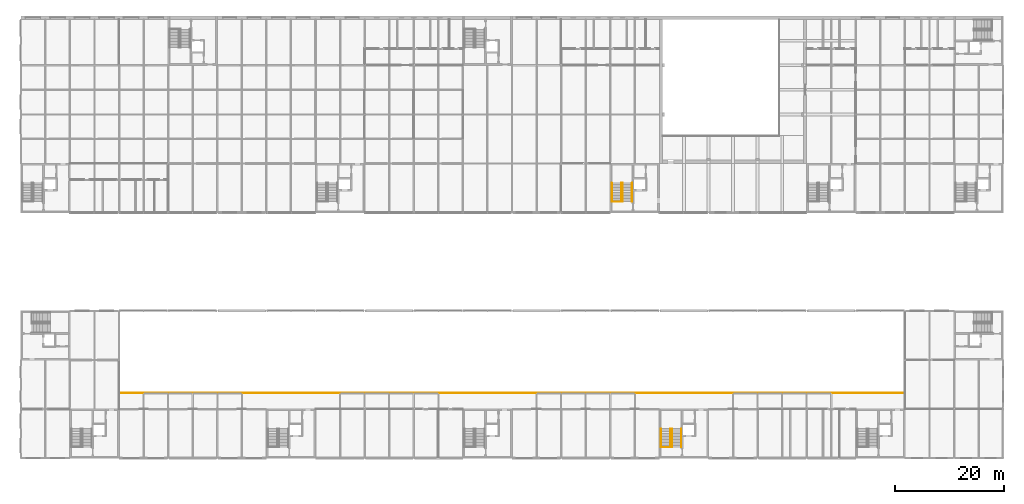
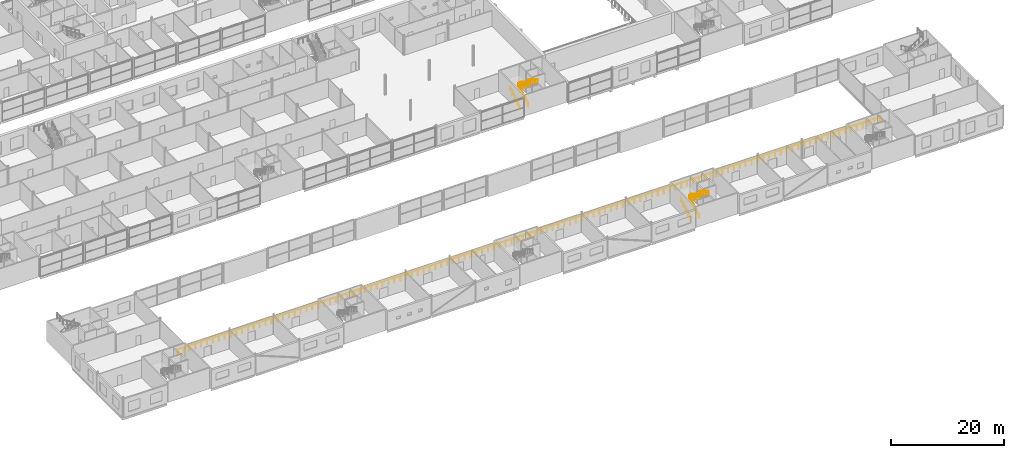
# One storey, part 94 of 97: 11 railings.
"""IFC4 building model written with IfcOpenShell, lengths in metres."""

from ifc_helpers import new_model, si_unit, direction, frame, origin, origin_2d, place, context, subcontext, project, spatial, circle, extrude, material, type_object, element, save


model = new_model("IFC4")

# Units and contexts
model_context = context("Model", 3, precision=1e-05, world=origin(), true_north=direction((0.0, 1.0)))
body_context = subcontext(model_context, "Body", "Model", "MODEL_VIEW")
ifc_project = project(units=[si_unit("LENGTHUNIT", "METRE"), si_unit("AREAUNIT", "SQUARE_METRE"), si_unit("VOLUMEUNIT", "CUBIC_METRE"), si_unit("PLANEANGLEUNIT", "RADIAN"), si_unit("MASSUNIT", "GRAM", prefix="KILO")], contexts=[model_context])

# Site, building, storey
site_placement = place(None, origin())
site = spatial("IfcSite", under=ifc_project, at=site_placement, CompositionType="ELEMENT")
building_placement = place(site_placement, origin())
building = spatial("IfcBuilding", under=site, at=building_placement, Name="Corbel Yard City Hall", CompositionType="ELEMENT")
storey_placement = place(building_placement, frame((0.0, 0.0, 6.0)))
storey = spatial("IfcBuildingStorey", under=building, at=storey_placement, Name="L01", CompositionType="ELEMENT", Elevation=6.0)

# Railings
ifc_material = material(Name="Stainless steel Grade 316", Category="steel")
railing_type_1 = type_object("IfcRailingType", Name="GR1", PredefinedType="GUARDRAIL", material=ifc_material)
railing_1_placement = place(storey_placement, frame((117.300048828125, 2.0, 4.5)))
element("IfcRailing", 1, at=railing_1_placement, inside=storey, type_object=railing_type_1, Name="Exit stair guard", PredefinedType="GUARDRAIL", context=body_context, shape_type="SweptSolid", body=[
    extrude(circle(Radius=0.02392578125, at=origin_2d()), frame((0.0, 0.0, 1.076171875), z_axis=(1.0, 0.0, 0.0), x_axis=(0.0, 1.0, 0.0)), (0.0, 0.0, 1.0), 1.949951171875),
    extrude(circle(Radius=0.02099609375, at=origin_2d()), origin(), (0.0, 0.0, 1.0), 1.052001953125),
    extrude(circle(Radius=0.02099609375, at=origin_2d()), frame((0.97509765625, 0.0, 0.0)), (0.0, 0.0, 1.0), 1.052001953125),
    extrude(circle(Radius=0.02099609375, at=origin_2d()), frame((1.949951171875, 0.0, 0.0)), (0.0, 0.0, 1.0), 1.052001953125),
])
railing_2_placement = place(storey_placement, frame((18.14990234375, 11.949951171875, 0.0)))
element("IfcRailing", 2, at=railing_2_placement, inside=storey, type_object=railing_type_1, Name="Gallery guard", PredefinedType="GUARDRAIL", context=body_context, shape_type="SweptSolid", body=[
    extrude(circle(Radius=0.02392578125, at=origin_2d()), frame((0.0, 0.0, 1.076171875), z_axis=(1.0, 0.0, 0.0), x_axis=(0.0, 1.0, 0.0)), (0.0, 0.0, 1.0), 143.7001953125),
    extrude(circle(Radius=0.02099609375, at=origin_2d()), origin(), (0.0, 0.0, 1.0), 1.052001953125),
    extrude(circle(Radius=0.02099609375, at=origin_2d()), frame((1.197509765625, 0.0, 0.0)), (0.0, 0.0, 1.0), 1.052001953125),
    extrude(circle(Radius=0.02099609375, at=origin_2d()), frame((2.39501953125, 0.0, 0.0)), (0.0, 0.0, 1.0), 1.052001953125),
    extrude(circle(Radius=0.02099609375, at=origin_2d()), frame((3.592529296875, 0.0, 0.0)), (0.0, 0.0, 1.0), 1.052001953125),
    extrude(circle(Radius=0.02099609375, at=origin_2d()), frame((4.7900390625, 0.0, 0.0)), (0.0, 0.0, 1.0), 1.052001953125),
    extrude(circle(Radius=0.02099609375, at=origin_2d()), frame((5.987548828125, 0.0, 0.0)), (0.0, 0.0, 1.0), 1.052001953125),
    extrude(circle(Radius=0.02099609375, at=origin_2d()), frame((7.18505859375, 0.0, 0.0)), (0.0, 0.0, 1.0), 1.052001953125),
    extrude(circle(Radius=0.02099609375, at=origin_2d()), frame((8.382568359375, 0.0, 0.0)), (0.0, 0.0, 1.0), 1.052001953125),
    extrude(circle(Radius=0.02099609375, at=origin_2d()), frame((9.580078125, 0.0, 0.0)), (0.0, 0.0, 1.0), 1.052001953125),
    extrude(circle(Radius=0.02099609375, at=origin_2d()), frame((10.777587890625, 0.0, 0.0)), (0.0, 0.0, 1.0), 1.052001953125),
    extrude(circle(Radius=0.02099609375, at=origin_2d()), frame((11.97509765625, 0.0, 0.0)), (0.0, 0.0, 1.0), 1.052001953125),
    extrude(circle(Radius=0.02099609375, at=origin_2d()), frame((13.172607421875, 0.0, 0.0)), (0.0, 0.0, 1.0), 1.052001953125),
    extrude(circle(Radius=0.02099609375, at=origin_2d()), frame((14.3701171875, 0.0, 0.0)), (0.0, 0.0, 1.0), 1.052001953125),
    extrude(circle(Radius=0.02099609375, at=origin_2d()), frame((15.567626953125, 0.0, 0.0)), (0.0, 0.0, 1.0), 1.052001953125),
    extrude(circle(Radius=0.02099609375, at=origin_2d()), frame((16.76513671875, 0.0, 0.0)), (0.0, 0.0, 1.0), 1.052001953125),
    extrude(circle(Radius=0.02099609375, at=origin_2d()), frame((17.96240234375, 0.0, 0.0)), (0.0, 0.0, 1.0), 1.052001953125),
    extrude(circle(Radius=0.02099609375, at=origin_2d()), frame((19.159912109375, 0.0, 0.0)), (0.0, 0.0, 1.0), 1.052001953125),
    extrude(circle(Radius=0.02099609375, at=origin_2d()), frame((20.357421875, 0.0, 0.0)), (0.0, 0.0, 1.0), 1.052001953125),
    extrude(circle(Radius=0.02099609375, at=origin_2d()), frame((21.554931640625, 0.0, 0.0)), (0.0, 0.0, 1.0), 1.052001953125),
    extrude(circle(Radius=0.02099609375, at=origin_2d()), frame((22.75244140625, 0.0, 0.0)), (0.0, 0.0, 1.0), 1.052001953125),
    extrude(circle(Radius=0.02099609375, at=origin_2d()), frame((23.949951171875, 0.0, 0.0)), (0.0, 0.0, 1.0), 1.052001953125),
    extrude(circle(Radius=0.02099609375, at=origin_2d()), frame((25.1474609375, 0.0, 0.0)), (0.0, 0.0, 1.0), 1.052001953125),
    extrude(circle(Radius=0.02099609375, at=origin_2d()), frame((26.344970703125, 0.0, 0.0)), (0.0, 0.0, 1.0), 1.052001953125),
    extrude(circle(Radius=0.02099609375, at=origin_2d()), frame((27.54248046875, 0.0, 0.0)), (0.0, 0.0, 1.0), 1.052001953125),
    extrude(circle(Radius=0.02099609375, at=origin_2d()), frame((28.739990234375, 0.0, 0.0)), (0.0, 0.0, 1.0), 1.052001953125),
    extrude(circle(Radius=0.02099609375, at=origin_2d()), frame((29.9375, 0.0, 0.0)), (0.0, 0.0, 1.0), 1.052001953125),
    extrude(circle(Radius=0.02099609375, at=origin_2d()), frame((31.135009765625, 0.0, 0.0)), (0.0, 0.0, 1.0), 1.052001953125),
    extrude(circle(Radius=0.02099609375, at=origin_2d()), frame((32.33251953125, 0.0, 0.0)), (0.0, 0.0, 1.0), 1.052001953125),
    extrude(circle(Radius=0.02099609375, at=origin_2d()), frame((33.530029296875, 0.0, 0.0)), (0.0, 0.0, 1.0), 1.052001953125),
    extrude(circle(Radius=0.02099609375, at=origin_2d()), frame((34.7275390625, 0.0, 0.0)), (0.0, 0.0, 1.0), 1.052001953125),
    extrude(circle(Radius=0.02099609375, at=origin_2d()), frame((35.925048828125, 0.0, 0.0)), (0.0, 0.0, 1.0), 1.052001953125),
    extrude(circle(Radius=0.02099609375, at=origin_2d()), frame((37.12255859375, 0.0, 0.0)), (0.0, 0.0, 1.0), 1.052001953125),
    extrude(circle(Radius=0.02099609375, at=origin_2d()), frame((38.320068359375, 0.0, 0.0)), (0.0, 0.0, 1.0), 1.052001953125),
    extrude(circle(Radius=0.02099609375, at=origin_2d()), frame((39.517578125, 0.0, 0.0)), (0.0, 0.0, 1.0), 1.052001953125),
    extrude(circle(Radius=0.02099609375, at=origin_2d()), frame((40.715087890625, 0.0, 0.0)), (0.0, 0.0, 1.0), 1.052001953125),
    extrude(circle(Radius=0.02099609375, at=origin_2d()), frame((41.91259765625, 0.0, 0.0)), (0.0, 0.0, 1.0), 1.052001953125),
    extrude(circle(Radius=0.02099609375, at=origin_2d()), frame((43.110107421875, 0.0, 0.0)), (0.0, 0.0, 1.0), 1.052001953125),
    extrude(circle(Radius=0.02099609375, at=origin_2d()), frame((44.3076171875, 0.0, 0.0)), (0.0, 0.0, 1.0), 1.052001953125),
    extrude(circle(Radius=0.02099609375, at=origin_2d()), frame((45.505126953125, 0.0, 0.0)), (0.0, 0.0, 1.0), 1.052001953125),
    extrude(circle(Radius=0.02099609375, at=origin_2d()), frame((46.70263671875, 0.0, 0.0)), (0.0, 0.0, 1.0), 1.052001953125),
    extrude(circle(Radius=0.02099609375, at=origin_2d()), frame((47.900146484375, 0.0, 0.0)), (0.0, 0.0, 1.0), 1.052001953125),
    extrude(circle(Radius=0.02099609375, at=origin_2d()), frame((49.09765625, 0.0, 0.0)), (0.0, 0.0, 1.0), 1.052001953125),
    extrude(circle(Radius=0.02099609375, at=origin_2d()), frame((50.295166015625, 0.0, 0.0)), (0.0, 0.0, 1.0), 1.052001953125),
    extrude(circle(Radius=0.02099609375, at=origin_2d()), frame((51.49267578125, 0.0, 0.0)), (0.0, 0.0, 1.0), 1.052001953125),
    extrude(circle(Radius=0.02099609375, at=origin_2d()), frame((52.690185546875, 0.0, 0.0)), (0.0, 0.0, 1.0), 1.052001953125),
    extrude(circle(Radius=0.02099609375, at=origin_2d()), frame((53.8876953125, 0.0, 0.0)), (0.0, 0.0, 1.0), 1.052001953125),
    extrude(circle(Radius=0.02099609375, at=origin_2d()), frame((55.0849609375, 0.0, 0.0)), (0.0, 0.0, 1.0), 1.052001953125),
    extrude(circle(Radius=0.02099609375, at=origin_2d()), frame((56.282470703125, 0.0, 0.0)), (0.0, 0.0, 1.0), 1.052001953125),
    extrude(circle(Radius=0.02099609375, at=origin_2d()), frame((57.47998046875, 0.0, 0.0)), (0.0, 0.0, 1.0), 1.052001953125),
    extrude(circle(Radius=0.02099609375, at=origin_2d()), frame((58.677490234375, 0.0, 0.0)), (0.0, 0.0, 1.0), 1.052001953125),
    extrude(circle(Radius=0.02099609375, at=origin_2d()), frame((59.875, 0.0, 0.0)), (0.0, 0.0, 1.0), 1.052001953125),
    extrude(circle(Radius=0.02099609375, at=origin_2d()), frame((61.072509765625, 0.0, 0.0)), (0.0, 0.0, 1.0), 1.052001953125),
    extrude(circle(Radius=0.02099609375, at=origin_2d()), frame((62.27001953125, 0.0, 0.0)), (0.0, 0.0, 1.0), 1.052001953125),
    extrude(circle(Radius=0.02099609375, at=origin_2d()), frame((63.467529296875, 0.0, 0.0)), (0.0, 0.0, 1.0), 1.052001953125),
    extrude(circle(Radius=0.02099609375, at=origin_2d()), frame((64.6650390625, 0.0, 0.0)), (0.0, 0.0, 1.0), 1.052001953125),
    extrude(circle(Radius=0.02099609375, at=origin_2d()), frame((65.862548828125, 0.0, 0.0)), (0.0, 0.0, 1.0), 1.052001953125),
    extrude(circle(Radius=0.02099609375, at=origin_2d()), frame((67.06005859375, 0.0, 0.0)), (0.0, 0.0, 1.0), 1.052001953125),
    extrude(circle(Radius=0.02099609375, at=origin_2d()), frame((68.257568359375, 0.0, 0.0)), (0.0, 0.0, 1.0), 1.052001953125),
    extrude(circle(Radius=0.02099609375, at=origin_2d()), frame((69.455078125, 0.0, 0.0)), (0.0, 0.0, 1.0), 1.052001953125),
    extrude(circle(Radius=0.02099609375, at=origin_2d()), frame((70.652587890625, 0.0, 0.0)), (0.0, 0.0, 1.0), 1.052001953125),
    extrude(circle(Radius=0.02099609375, at=origin_2d()), frame((71.85009765625, 0.0, 0.0)), (0.0, 0.0, 1.0), 1.052001953125),
    extrude(circle(Radius=0.02099609375, at=origin_2d()), frame((73.047607421875, 0.0, 0.0)), (0.0, 0.0, 1.0), 1.052001953125),
    extrude(circle(Radius=0.02099609375, at=origin_2d()), frame((74.2451171875, 0.0, 0.0)), (0.0, 0.0, 1.0), 1.052001953125),
    extrude(circle(Radius=0.02099609375, at=origin_2d()), frame((75.442626953125, 0.0, 0.0)), (0.0, 0.0, 1.0), 1.052001953125),
    extrude(circle(Radius=0.02099609375, at=origin_2d()), frame((76.64013671875, 0.0, 0.0)), (0.0, 0.0, 1.0), 1.052001953125),
    extrude(circle(Radius=0.02099609375, at=origin_2d()), frame((77.837646484375, 0.0, 0.0)), (0.0, 0.0, 1.0), 1.052001953125),
    extrude(circle(Radius=0.02099609375, at=origin_2d()), frame((79.03515625, 0.0, 0.0)), (0.0, 0.0, 1.0), 1.052001953125),
    extrude(circle(Radius=0.02099609375, at=origin_2d()), frame((80.232666015625, 0.0, 0.0)), (0.0, 0.0, 1.0), 1.052001953125),
    extrude(circle(Radius=0.02099609375, at=origin_2d()), frame((81.43017578125, 0.0, 0.0)), (0.0, 0.0, 1.0), 1.052001953125),
    extrude(circle(Radius=0.02099609375, at=origin_2d()), frame((82.627685546875, 0.0, 0.0)), (0.0, 0.0, 1.0), 1.052001953125),
    extrude(circle(Radius=0.02099609375, at=origin_2d()), frame((83.8251953125, 0.0, 0.0)), (0.0, 0.0, 1.0), 1.052001953125),
    extrude(circle(Radius=0.02099609375, at=origin_2d()), frame((85.022705078125, 0.0, 0.0)), (0.0, 0.0, 1.0), 1.052001953125),
    extrude(circle(Radius=0.02099609375, at=origin_2d()), frame((86.22021484375, 0.0, 0.0)), (0.0, 0.0, 1.0), 1.052001953125),
    extrude(circle(Radius=0.02099609375, at=origin_2d()), frame((87.417724609375, 0.0, 0.0)), (0.0, 0.0, 1.0), 1.052001953125),
    extrude(circle(Radius=0.02099609375, at=origin_2d()), frame((88.615234375, 0.0, 0.0)), (0.0, 0.0, 1.0), 1.052001953125),
    extrude(circle(Radius=0.02099609375, at=origin_2d()), frame((89.8125, 0.0, 0.0)), (0.0, 0.0, 1.0), 1.052001953125),
    extrude(circle(Radius=0.02099609375, at=origin_2d()), frame((91.010009765625, 0.0, 0.0)), (0.0, 0.0, 1.0), 1.052001953125),
    extrude(circle(Radius=0.02099609375, at=origin_2d()), frame((92.20751953125, 0.0, 0.0)), (0.0, 0.0, 1.0), 1.052001953125),
    extrude(circle(Radius=0.02099609375, at=origin_2d()), frame((93.405029296875, 0.0, 0.0)), (0.0, 0.0, 1.0), 1.052001953125),
    extrude(circle(Radius=0.02099609375, at=origin_2d()), frame((94.6025390625, 0.0, 0.0)), (0.0, 0.0, 1.0), 1.052001953125),
    extrude(circle(Radius=0.02099609375, at=origin_2d()), frame((95.800048828125, 0.0, 0.0)), (0.0, 0.0, 1.0), 1.052001953125),
    extrude(circle(Radius=0.02099609375, at=origin_2d()), frame((96.99755859375, 0.0, 0.0)), (0.0, 0.0, 1.0), 1.052001953125),
    extrude(circle(Radius=0.02099609375, at=origin_2d()), frame((98.195068359375, 0.0, 0.0)), (0.0, 0.0, 1.0), 1.052001953125),
    extrude(circle(Radius=0.02099609375, at=origin_2d()), frame((99.392578125, 0.0, 0.0)), (0.0, 0.0, 1.0), 1.052001953125),
    extrude(circle(Radius=0.02099609375, at=origin_2d()), frame((100.590087890625, 0.0, 0.0)), (0.0, 0.0, 1.0), 1.052001953125),
    extrude(circle(Radius=0.02099609375, at=origin_2d()), frame((101.78759765625, 0.0, 0.0)), (0.0, 0.0, 1.0), 1.052001953125),
    extrude(circle(Radius=0.02099609375, at=origin_2d()), frame((102.985107421875, 0.0, 0.0)), (0.0, 0.0, 1.0), 1.052001953125),
    extrude(circle(Radius=0.02099609375, at=origin_2d()), frame((104.1826171875, 0.0, 0.0)), (0.0, 0.0, 1.0), 1.052001953125),
    extrude(circle(Radius=0.02099609375, at=origin_2d()), frame((105.380126953125, 0.0, 0.0)), (0.0, 0.0, 1.0), 1.052001953125),
    extrude(circle(Radius=0.02099609375, at=origin_2d()), frame((106.57763671875, 0.0, 0.0)), (0.0, 0.0, 1.0), 1.052001953125),
    extrude(circle(Radius=0.02099609375, at=origin_2d()), frame((107.775146484375, 0.0, 0.0)), (0.0, 0.0, 1.0), 1.052001953125),
    extrude(circle(Radius=0.02099609375, at=origin_2d()), frame((108.97265625, 0.0, 0.0)), (0.0, 0.0, 1.0), 1.052001953125),
    extrude(circle(Radius=0.02099609375, at=origin_2d()), frame((110.170166015625, 0.0, 0.0)), (0.0, 0.0, 1.0), 1.052001953125),
    extrude(circle(Radius=0.02099609375, at=origin_2d()), frame((111.36767578125, 0.0, 0.0)), (0.0, 0.0, 1.0), 1.052001953125),
    extrude(circle(Radius=0.02099609375, at=origin_2d()), frame((112.565185546875, 0.0, 0.0)), (0.0, 0.0, 1.0), 1.052001953125),
    extrude(circle(Radius=0.02099609375, at=origin_2d()), frame((113.7626953125, 0.0, 0.0)), (0.0, 0.0, 1.0), 1.052001953125),
    extrude(circle(Radius=0.02099609375, at=origin_2d()), frame((114.960205078125, 0.0, 0.0)), (0.0, 0.0, 1.0), 1.052001953125),
    extrude(circle(Radius=0.02099609375, at=origin_2d()), frame((116.15771484375, 0.0, 0.0)), (0.0, 0.0, 1.0), 1.052001953125),
    extrude(circle(Radius=0.02099609375, at=origin_2d()), frame((117.355224609375, 0.0, 0.0)), (0.0, 0.0, 1.0), 1.052001953125),
    extrude(circle(Radius=0.02099609375, at=origin_2d()), frame((118.552734375, 0.0, 0.0)), (0.0, 0.0, 1.0), 1.052001953125),
    extrude(circle(Radius=0.02099609375, at=origin_2d()), frame((119.750244140625, 0.0, 0.0)), (0.0, 0.0, 1.0), 1.052001953125),
    extrude(circle(Radius=0.02099609375, at=origin_2d()), frame((120.94775390625, 0.0, 0.0)), (0.0, 0.0, 1.0), 1.052001953125),
    extrude(circle(Radius=0.02099609375, at=origin_2d()), frame((122.145263671875, 0.0, 0.0)), (0.0, 0.0, 1.0), 1.052001953125),
    extrude(circle(Radius=0.02099609375, at=origin_2d()), frame((123.3427734375, 0.0, 0.0)), (0.0, 0.0, 1.0), 1.052001953125),
    extrude(circle(Radius=0.02099609375, at=origin_2d()), frame((124.540283203125, 0.0, 0.0)), (0.0, 0.0, 1.0), 1.052001953125),
    extrude(circle(Radius=0.02099609375, at=origin_2d()), frame((125.73779296875, 0.0, 0.0)), (0.0, 0.0, 1.0), 1.052001953125),
    extrude(circle(Radius=0.02099609375, at=origin_2d()), frame((126.93505859375, 0.0, 0.0)), (0.0, 0.0, 1.0), 1.052001953125),
    extrude(circle(Radius=0.02099609375, at=origin_2d()), frame((128.132568359375, 0.0, 0.0)), (0.0, 0.0, 1.0), 1.052001953125),
    extrude(circle(Radius=0.02099609375, at=origin_2d()), frame((129.330078125, 0.0, 0.0)), (0.0, 0.0, 1.0), 1.052001953125),
    extrude(circle(Radius=0.02099609375, at=origin_2d()), frame((130.527587890625, 0.0, 0.0)), (0.0, 0.0, 1.0), 1.052001953125),
    extrude(circle(Radius=0.02099609375, at=origin_2d()), frame((131.72509765625, 0.0, 0.0)), (0.0, 0.0, 1.0), 1.052001953125),
    extrude(circle(Radius=0.02099609375, at=origin_2d()), frame((132.922607421875, 0.0, 0.0)), (0.0, 0.0, 1.0), 1.052001953125),
    extrude(circle(Radius=0.02099609375, at=origin_2d()), frame((134.1201171875, 0.0, 0.0)), (0.0, 0.0, 1.0), 1.052001953125),
    extrude(circle(Radius=0.02099609375, at=origin_2d()), frame((135.317626953125, 0.0, 0.0)), (0.0, 0.0, 1.0), 1.052001953125),
    extrude(circle(Radius=0.02099609375, at=origin_2d()), frame((136.51513671875, 0.0, 0.0)), (0.0, 0.0, 1.0), 1.052001953125),
    extrude(circle(Radius=0.02099609375, at=origin_2d()), frame((137.712646484375, 0.0, 0.0)), (0.0, 0.0, 1.0), 1.052001953125),
    extrude(circle(Radius=0.02099609375, at=origin_2d()), frame((138.91015625, 0.0, 0.0)), (0.0, 0.0, 1.0), 1.052001953125),
    extrude(circle(Radius=0.02099609375, at=origin_2d()), frame((140.107666015625, 0.0, 0.0)), (0.0, 0.0, 1.0), 1.052001953125),
    extrude(circle(Radius=0.02099609375, at=origin_2d()), frame((141.30517578125, 0.0, 0.0)), (0.0, 0.0, 1.0), 1.052001953125),
    extrude(circle(Radius=0.02099609375, at=origin_2d()), frame((142.502685546875, 0.0, 0.0)), (0.0, 0.0, 1.0), 1.052001953125),
    extrude(circle(Radius=0.02099609375, at=origin_2d()), frame((143.7001953125, 0.0, 0.0)), (0.0, 0.0, 1.0), 1.052001953125),
])
railing_3_placement = place(storey_placement, frame((108.300048828125, 47.0, 4.5)))
element("IfcRailing", 3, at=railing_3_placement, inside=storey, type_object=railing_type_1, Name="Exit stair guard", PredefinedType="GUARDRAIL", context=body_context, shape_type="SweptSolid", body=[
    extrude(circle(Radius=0.02392578125, at=origin_2d()), frame((0.0, 0.0, 1.076171875), z_axis=(1.0, 0.0, 0.0), x_axis=(0.0, 1.0, 0.0)), (0.0, 0.0, 1.0), 1.949951171875),
    extrude(circle(Radius=0.02099609375, at=origin_2d()), origin(), (0.0, 0.0, 1.0), 1.052001953125),
    extrude(circle(Radius=0.02099609375, at=origin_2d()), frame((0.97509765625, 0.0, 0.0)), (0.0, 0.0, 1.0), 1.052001953125),
    extrude(circle(Radius=0.02099609375, at=origin_2d()), frame((1.949951171875, 0.0, 0.0)), (0.0, 0.0, 1.0), 1.052001953125),
])
railing_type_2 = type_object("IfcRailingType", Name="HR1", PredefinedType="HANDRAIL", material=ifc_material)
for number, where, name in (
    (4, (117.300048828125, 2.050048828125, 0.173095703125), "Exit stair handrail"),
    (5, (119.0, 2.050048828125, 0.173095703125), "Exit stair handrail"),
):
    element("IfcRailing", number, at=place(storey_placement, frame(where)), inside=storey, type_object=railing_type_2, Name=name, PredefinedType="HANDRAIL", context=body_context, shape_type="SweptSolid", body=[
        extrude(circle(Radius=0.02392578125, at=origin_2d()), frame((0.0, 0.0, 0.8759765625), z_axis=(0.0, 0.850606129759, 0.525803396734), x_axis=(-1.0, 0.0, 0.0)), (0.0, 0.0, 1.0), 3.949951171875),
        extrude(circle(Radius=0.02099609375, at=origin_2d()), origin(), (0.0, 0.0, 1.0), 0.851806640625),
        extrude(circle(Radius=0.02099609375, at=origin_2d()), frame((0.0, 0.83984375, 0.519287109375)), (0.0, 0.0, 1.0), 0.851806640625),
        extrude(circle(Radius=0.02099609375, at=origin_2d()), frame((0.0, 1.679931640625, 1.03857421875)), (0.0, 0.0, 1.0), 0.851806640625),
        extrude(circle(Radius=0.02099609375, at=origin_2d()), frame((0.0, 2.52001953125, 1.5576171875)), (0.0, 0.0, 1.0), 0.851806640625),
        extrude(circle(Radius=0.02099609375, at=origin_2d()), frame((0.0, 3.35986328125, 2.076904296875)), (0.0, 0.0, 1.0), 0.851806640625),
    ])
for number, where, name in (
    (6, (119.300048828125, 5.409912109375, 2.423095703125), "Exit stair handrail"),
    (7, (121.0, 5.409912109375, 2.423095703125), "Exit stair handrail"),
):
    element("IfcRailing", number, at=place(storey_placement, frame(where)), inside=storey, type_object=railing_type_2, Name=name, PredefinedType="HANDRAIL", context=body_context, shape_type="SweptSolid", body=[
        extrude(circle(Radius=0.02392578125, at=origin_2d()), frame((0.0, 0.0, 0.8759765625), z_axis=(0.0, -0.850606129759, 0.525803396734), x_axis=(1.0, 0.0, 0.0)), (0.0, 0.0, 1.0), 3.949951171875),
        extrude(circle(Radius=0.02099609375, at=origin_2d()), origin(), (0.0, 0.0, 1.0), 0.851806640625),
        extrude(circle(Radius=0.02099609375, at=origin_2d()), frame((0.0, -0.83984375, 0.519287109375)), (0.0, 0.0, 1.0), 0.851806640625),
        extrude(circle(Radius=0.02099609375, at=origin_2d()), frame((0.0, -1.679931640625, 1.03857421875)), (0.0, 0.0, 1.0), 0.851806640625),
        extrude(circle(Radius=0.02099609375, at=origin_2d()), frame((0.0, -2.52001953125, 1.5576171875)), (0.0, 0.0, 1.0), 0.851806640625),
        extrude(circle(Radius=0.02099609375, at=origin_2d()), frame((0.0, -3.35986328125, 2.076904296875)), (0.0, 0.0, 1.0), 0.851806640625),
    ])
for number, where, name in (
    (8, (108.300048828125, 47.050048828125, 0.173095703125), "Exit stair handrail"),
    (9, (110.0, 47.050048828125, 0.173095703125), "Exit stair handrail"),
):
    element("IfcRailing", number, at=place(storey_placement, frame(where)), inside=storey, type_object=railing_type_2, Name=name, PredefinedType="HANDRAIL", context=body_context, shape_type="SweptSolid", body=[
        extrude(circle(Radius=0.02392578125, at=origin_2d()), frame((0.0, 0.0, 0.8759765625), z_axis=(0.0, 0.850606129759, 0.525803396734), x_axis=(-1.0, 0.0, 0.0)), (0.0, 0.0, 1.0), 3.949951171875),
        extrude(circle(Radius=0.02099609375, at=origin_2d()), origin(), (0.0, 0.0, 1.0), 0.851806640625),
        extrude(circle(Radius=0.02099609375, at=origin_2d()), frame((0.0, 0.83984375, 0.519287109375)), (0.0, 0.0, 1.0), 0.851806640625),
        extrude(circle(Radius=0.02099609375, at=origin_2d()), frame((0.0, 1.679931640625, 1.03857421875)), (0.0, 0.0, 1.0), 0.851806640625),
        extrude(circle(Radius=0.02099609375, at=origin_2d()), frame((0.0, 2.52001953125, 1.5576171875)), (0.0, 0.0, 1.0), 0.851806640625),
        extrude(circle(Radius=0.02099609375, at=origin_2d()), frame((0.0, 3.35986328125, 2.076904296875)), (0.0, 0.0, 1.0), 0.851806640625),
    ])
for number, where, name in (
    (10, (110.300048828125, 50.409912109375, 2.423095703125), "Exit stair handrail"),
    (11, (112.0, 50.409912109375, 2.423095703125), "Exit stair handrail"),
):
    element("IfcRailing", number, at=place(storey_placement, frame(where)), inside=storey, type_object=railing_type_2, Name=name, PredefinedType="HANDRAIL", context=body_context, shape_type="SweptSolid", body=[
        extrude(circle(Radius=0.02392578125, at=origin_2d()), frame((0.0, 0.0, 0.8759765625), z_axis=(0.0, -0.850606129759, 0.525803396734), x_axis=(1.0, 0.0, 0.0)), (0.0, 0.0, 1.0), 3.949951171875),
        extrude(circle(Radius=0.02099609375, at=origin_2d()), origin(), (0.0, 0.0, 1.0), 0.851806640625),
        extrude(circle(Radius=0.02099609375, at=origin_2d()), frame((0.0, -0.83984375, 0.519287109375)), (0.0, 0.0, 1.0), 0.851806640625),
        extrude(circle(Radius=0.02099609375, at=origin_2d()), frame((0.0, -1.679931640625, 1.03857421875)), (0.0, 0.0, 1.0), 0.851806640625),
        extrude(circle(Radius=0.02099609375, at=origin_2d()), frame((0.0, -2.52001953125, 1.5576171875)), (0.0, 0.0, 1.0), 0.851806640625),
        extrude(circle(Radius=0.02099609375, at=origin_2d()), frame((0.0, -3.35986328125, 2.076904296875)), (0.0, 0.0, 1.0), 0.851806640625),
    ])

save(model, "model.ifc")
